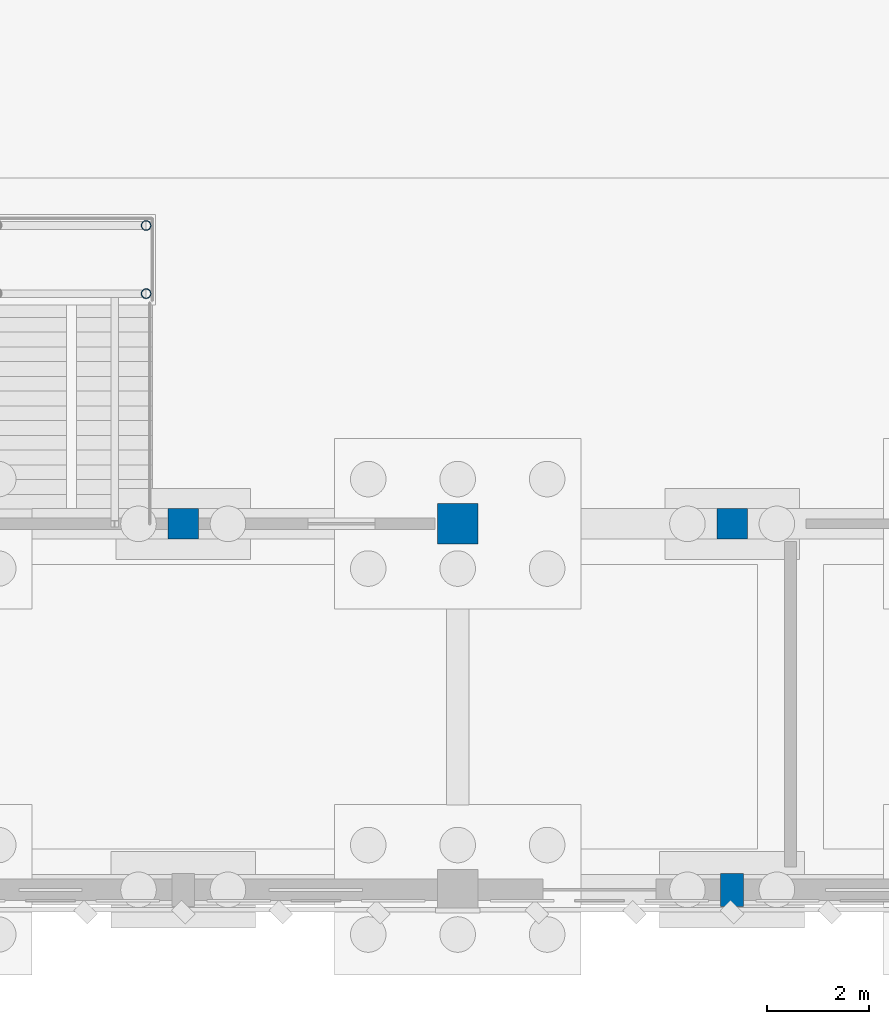
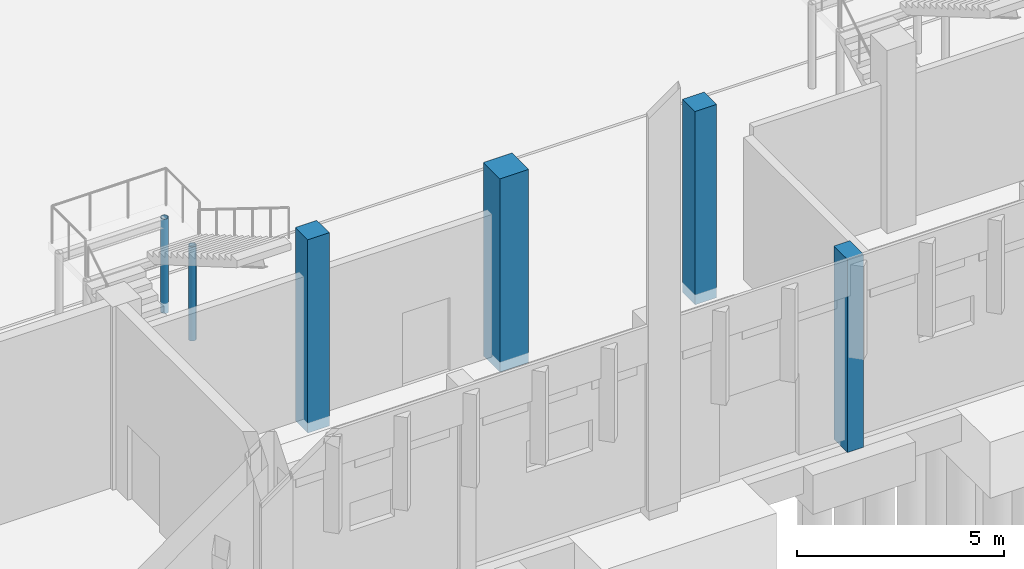
# One storey, part 12 of 109: 6 columns.
"""IFC4 building model written with IfcOpenShell, lengths in metres."""

from ifc_helpers import new_model, si_unit, direction, frame, origin, origin_2d, place, context, subcontext, project, spatial, rectangle, hollow_circle, extrude, material, material_profile, profile_set, type_object, element, save


model = new_model("IFC4")

# Units and contexts
model_context = context("Model", 3, precision=1e-05, world=origin(), true_north=direction((0.0, 1.0)))
body_context = subcontext(model_context, "Body", "Model", "MODEL_VIEW")
ifc_project = project(units=[si_unit("LENGTHUNIT", "METRE"), si_unit("AREAUNIT", "SQUARE_METRE"), si_unit("VOLUMEUNIT", "CUBIC_METRE"), si_unit("PLANEANGLEUNIT", "RADIAN"), si_unit("MASSUNIT", "GRAM", prefix="KILO")], contexts=[model_context])

# Site, building, storey
site_placement = place(None, origin())
site = spatial("IfcSite", under=ifc_project, at=site_placement, CompositionType="ELEMENT")
building_placement = place(site_placement, origin())
building = spatial("IfcBuilding", under=site, at=building_placement, Name="Lusvemor Sports Hall", CompositionType="ELEMENT")
storey_placement = place(building_placement, origin())
storey = spatial("IfcBuildingStorey", under=building, at=storey_placement, Name="L00", CompositionType="ELEMENT", Elevation=0.0)

# Columns
ifc_material_1 = material(Name="Concrete C40/50", Category="concrete")
ifc_material_profile_1 = material_profile(ifc_material_1, rectangle(XDim=0.800048828125, YDim=0.800048828125, at=origin_2d()), Name="RC800x800")
ifc_profile_set_1 = profile_set([ifc_material_profile_1], Name="Concrete C40/50")
column_type_1 = type_object("IfcColumnType", Name="COL_HALL_W", PredefinedType="COLUMN", material=ifc_profile_set_1)
column_1_placement = place(storey_placement, frame((21.60009765625, 7.199951171875, -0.300048828125), z_axis=(0.0, 0.0, 1.0), x_axis=(1.0, 0.0, 0.0)))
element("IfcColumn", 1, at=column_1_placement, inside=storey, type_object=column_type_1, Name="Column 3/B (L00)", PredefinedType="COLUMN", context=body_context, shape_type="SweptSolid", body=[
    extrude(rectangle(XDim=0.800048828125, YDim=0.800048828125, at=origin_2d()), origin(), (0.0, 0.0, 1.0), 5.699951171875),
])
ifc_material_2 = material(Name="Steel S355", Category="steel")
ifc_material_profile_2 = material_profile(ifc_material_2, hollow_circle(Radius=0.096923828125, WallThickness=0.010009765625, at=origin_2d()), Name="CHS193.7x10.0")
ifc_profile_set_2 = profile_set([ifc_material_profile_2], Name="Steel S355")
column_type_2 = type_object("IfcColumnType", Name="COL_STAIR_POST", PredefinedType="COLUMN", material=ifc_profile_set_2)
for number, where, z_axis, x_axis, name in (
    (2, (15.469970703125, 11.72998046875, -0.300048828125), (0.0, 0.0, 1.0), (1.0, 0.0, 0.0), "Feature Stair STR-V1-GAL-W Post 2"),
    (3, (15.469970703125, 13.070068359375, -0.300048828125), (0.0, 0.0, 1.0), (1.0, 0.0, 0.0), "Feature Stair STR-V1-GAL-W Post 4"),
):
    element("IfcColumn", number, at=place(storey_placement, frame(where, z_axis=z_axis, x_axis=x_axis)), inside=storey, type_object=column_type_2, Name=name, PredefinedType="COLUMN", context=body_context, shape_type="SweptSolid", body=[
        extrude(hollow_circle(Radius=0.096923828125, WallThickness=0.010009765625, at=origin_2d()), origin(), (0.0, 0.0, 1.0), 2.781982421875),
    ])
ifc_material_3 = material(Name="Concrete C40/50", Category="concrete")
ifc_material_profile_3 = material_profile(ifc_material_3, rectangle(XDim=0.60009765625, YDim=0.60009765625, at=origin_2d()), Name="RC600x600")
ifc_profile_set_3 = profile_set([ifc_material_profile_3], Name="Concrete C40/50")
column_type_3 = type_object("IfcColumnType", Name="COL_WING_L", PredefinedType="COLUMN", material=ifc_profile_set_3)
for number, where, z_axis, x_axis, name in (
    (4, (16.199951171875, 7.199951171875, -0.300048828125), (0.0, 0.0, 1.0), (1.0, 0.0, 0.0), "Wave Mid-Bay Column S2 (L00)"),
    (5, (27.0, 7.199951171875, -0.300048828125), (0.0, 0.0, 1.0), (1.0, 0.0, 0.0), "Wave Mid-Bay Column S3 (L00)"),
):
    element("IfcColumn", number, at=place(storey_placement, frame(where, z_axis=z_axis, x_axis=x_axis)), inside=storey, type_object=column_type_3, Name=name, PredefinedType="COLUMN", context=body_context, shape_type="SweptSolid", body=[
        extrude(rectangle(XDim=0.60009765625, YDim=0.60009765625, at=origin_2d()), origin(), (0.0, 0.0, 1.0), 5.699951171875),
    ])
ifc_material_4 = material(Name="Concrete C40/50", Category="concrete")
ifc_material_profile_4 = material_profile(ifc_material_4, rectangle(XDim=0.449951171875, YDim=0.64990234375, at=origin_2d()), Name="RC450x650")
ifc_profile_set_4 = profile_set([ifc_material_profile_4], Name="Concrete C40/50")
column_type_4 = type_object("IfcColumnType", Name="PIL_BOUL_E", PredefinedType="PILASTER", material=ifc_profile_set_4)
column_2_placement = place(storey_placement, frame((27.0, 0.0, -0.300048828125), z_axis=(0.0, 0.0, 1.0), x_axis=(1.0, 0.0, 0.0)))
element("IfcColumn", 6, at=column_2_placement, inside=storey, type_object=column_type_4, Name="Boulevard Pilaster S2 (L00)", PredefinedType="PILASTER", context=body_context, shape_type="SweptSolid", body=[
    extrude(rectangle(XDim=0.449951171875, YDim=0.64990234375, at=origin_2d()), origin(), (0.0, 0.0, 1.0), 5.699951171875),
])

save(model, "model.ifc")
